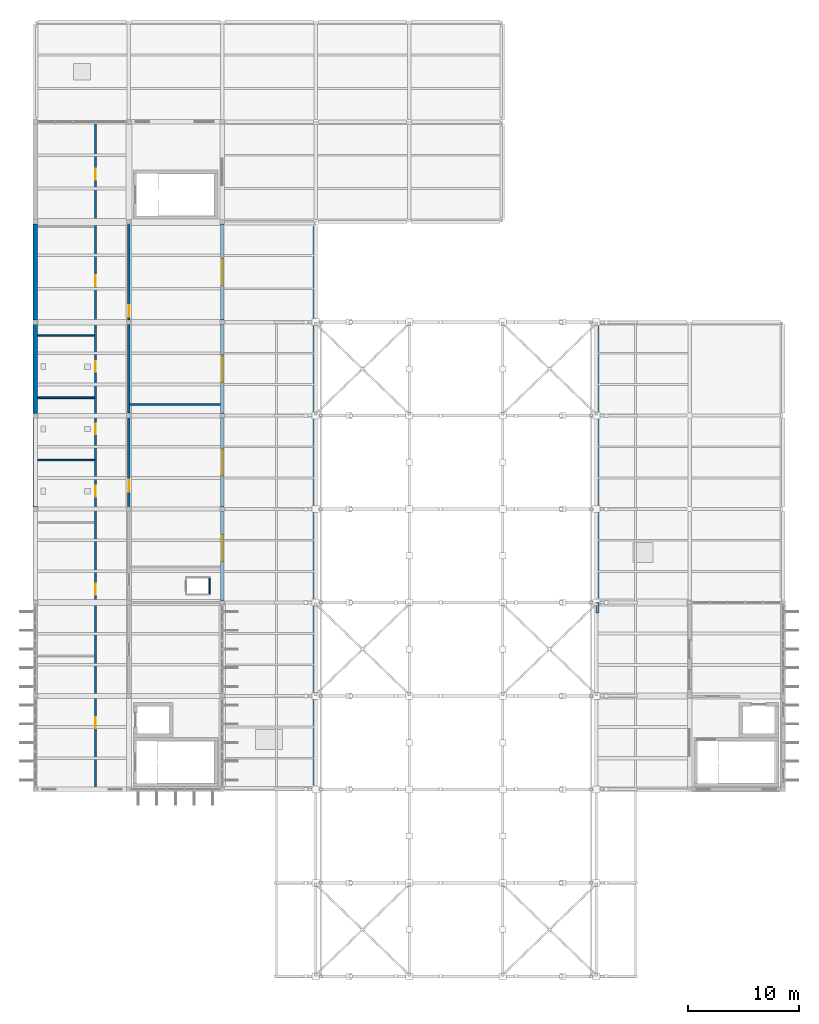
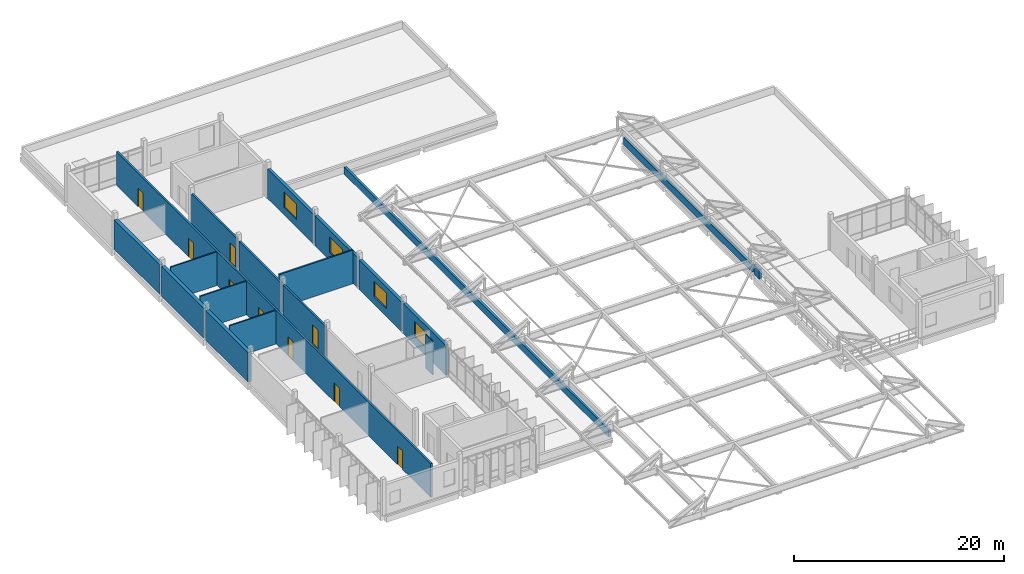
# One storey, part 36 of 41: 19 walls, 9 doors, 4 windows, 13 openings.
"""IFC4 building model written with IfcOpenShell, lengths in metres."""

import ifcopenshell
import ifcopenshell.guid

model = None  # the IFC model being written
_history = None  # IfcOwnerHistory: only IFC2X3 demands one
_inside = {}  # id of a spatial element -> (the spatial element, [elements in it])
_under = {}  # id of a project, library or spatial element -> (it, [spatial elements below it])
_declared = {}  # id of a project -> (the project, [libraries it declares])
_typed = {}  # id of a type object -> (the type object, [elements of that type])
_made_of = {}  # id of a material, layer set ... -> (it, [elements and type objects made of it])


def new_model(schema):
    """Start an empty IFC model of exactly this schema.

    Asked for "IFC4X3", IfcOpenShell would pick the latest addendum, in which some entities
    have other attributes; the version numbers below select the first issue.
    IFC2X3 requires an IfcOwnerHistory on every rooted entity: one is made here for all.
    """
    global model, _history
    if schema == "IFC4X3":
        model = ifcopenshell.file(schema_version=(4, 3, 0, 0))
    else:
        model = ifcopenshell.file(schema=schema)
    _inside.clear()
    _under.clear()
    _declared.clear()
    _typed.clear()
    _made_of.clear()
    _history = None
    if model.schema == "IFC2X3":
        org = make("IfcOrganization", Name="unknown")
        user = make(
            "IfcPersonAndOrganization",
            ThePerson=make("IfcPerson", FamilyName="unknown"),
            TheOrganization=org,
        )
        app = make(
            "IfcApplication",
            ApplicationDeveloper=org,
            Version="unknown",
            ApplicationFullName="unknown",
            ApplicationIdentifier="unknown",
        )
        _history = make(
            "IfcOwnerHistory",
            OwningUser=user,
            OwningApplication=app,
            ChangeAction="ADDED",
            CreationDate=0,
        )
    return model


def make(cls, **values):
    """One entity of the class cls with the attributes given. An attribute that is None is left unset."""
    return model.create_entity(
        cls, **{name: value for name, value in values.items() if value is not None}
    )


def rooted(cls, **values):
    """An entity with a GlobalId (a new one), such as an element, a storey or a relation."""
    return make(cls, GlobalId=ifcopenshell.guid.new(), OwnerHistory=_history, **values)


def si_unit(unit_type, name, prefix=None):
    """IfcSIUnit, for example si_unit("LENGTHUNIT", "METRE", prefix="MILLI")."""
    return make("IfcSIUnit", UnitType=unit_type, Prefix=prefix, Name=name)


def assignment(units):
    """IfcUnitAssignment: the units of a project."""
    return None if units is None else make("IfcUnitAssignment", Units=units)


def point(xyz):
    """IfcCartesianPoint."""
    return None if xyz is None else make("IfcCartesianPoint", Coordinates=xyz)


def direction(xyz):
    """IfcDirection."""
    return None if xyz is None else make("IfcDirection", DirectionRatios=xyz)


def frame(location, z_axis=None, x_axis=None):
    """IfcAxis2Placement3D, a coordinate frame: its origin and axes. An axis left out is left unset."""
    return make(
        "IfcAxis2Placement3D",
        Location=point(location),
        Axis=direction(z_axis),
        RefDirection=direction(x_axis),
    )


def frame_2d(location, x_axis=None):
    """IfcAxis2Placement2D, a coordinate frame in the plane: its origin and x axis."""
    return make(
        "IfcAxis2Placement2D", Location=point(location), RefDirection=direction(x_axis)
    )


def origin():
    """The frame at (0, 0, 0) with its axes left unset."""
    return frame((0.0, 0.0, 0.0))


def place(relative_to, where):
    """IfcLocalPlacement: puts the frame where relative to a parent placement (None: the world)."""
    return make(
        "IfcLocalPlacement", PlacementRelTo=relative_to, RelativePlacement=where
    )


def context(
    kind, dimensions, precision=None, world=None, true_north=None, identifier=None
):
    """IfcGeometricRepresentationContext, for example the 3D "Model" context."""
    return make(
        "IfcGeometricRepresentationContext",
        ContextIdentifier=identifier,
        ContextType=kind,
        CoordinateSpaceDimension=dimensions,
        Precision=precision,
        WorldCoordinateSystem=world,
        TrueNorth=true_north,
    )


def subcontext(parent, identifier, kind, view, scale=None):
    """IfcGeometricRepresentationSubContext, for example "Body" below "Model"."""
    return make(
        "IfcGeometricRepresentationSubContext",
        ContextIdentifier=identifier,
        ContextType=kind,
        ParentContext=parent,
        TargetScale=scale,
        TargetView=view,
    )


def project(units=None, contexts=None):
    """IfcProject with its units and contexts."""
    return rooted(
        "IfcProject",
        Name="project",
        RepresentationContexts=contexts,
        UnitsInContext=assignment(units),
    )


def spatial(cls, under=None, at=None, **own):
    """A site, building, storey or space (cls), placed at a placement, below another one or the project."""
    s = rooted(cls, ObjectPlacement=at, **own)
    if under is not None:
        _under.setdefault(under.id(), (under, []))[1].append(s)
    return s


def profile(cls, at=None, kind="AREA", **sizes):
    """A parametric profile (cls). Its sizes go by their IFC names, for example OverallWidth=200.0."""
    return make(cls, ProfileType=kind, Position=at, **sizes)


def rectangle(**sizes):
    """IfcRectangleProfileDef."""
    return profile("IfcRectangleProfileDef", **sizes)


def extrude(swept, where, along, depth):
    """IfcExtrudedAreaSolid: the profile swept, set in the frame where, extruded along a direction by depth."""
    return make(
        "IfcExtrudedAreaSolid",
        SweptArea=swept,
        Position=where,
        ExtrudedDirection=direction(along),
        Depth=depth,
    )


def shape(context_of_items, identifier, shape_type, items):
    """IfcShapeRepresentation: the items that make up one representation, for example the "Body"."""
    return make(
        "IfcShapeRepresentation",
        ContextOfItems=context_of_items,
        RepresentationIdentifier=identifier,
        RepresentationType=shape_type,
        Items=items,
    )


def material(Name=None, Category=None):
    """IfcMaterial."""
    return make("IfcMaterial", Name=Name, Category=Category)


def layer(
    of_material, thickness, ventilated=None, Name=None, Category=None, Priority=None
):
    """IfcMaterialLayer: one layer of a wall or slab, of a material (None: an air gap)."""
    return make(
        "IfcMaterialLayer",
        Material=of_material,
        LayerThickness=thickness,
        IsVentilated=ventilated,
        Name=Name,
        Category=Category,
        Priority=Priority,
    )


def layer_set(layers, Name=None):
    """IfcMaterialLayerSet."""
    return make("IfcMaterialLayerSet", MaterialLayers=layers, LayerSetName=Name)


def made_of(thing, what):
    """Note that an element or type object is made of a material, layer set ...; save() writes the relation."""
    if what is not None:
        _made_of.setdefault(what.id(), (what, []))[1].append(thing)
    return thing


def type_object(cls, material=None, **own):
    """A type object (cls), such as IfcWallType, which elements share."""
    return made_of(rooted(cls, **own), material)


def element(
    cls,
    number,
    at=None,
    inside=None,
    cuts=None,
    type_object=None,
    material=None,
    context=None,
    identifier="Body",
    shape_type=None,
    held_by="IfcProductDefinitionShape",
    body=None,
    shapes=None,
    **own,
):
    """One element of the class cls, such as IfcWall. Its Tag is "e" and its number.

    at: its placement. inside: the storey or other place that contains it. cuts: it is an
    opening in that element (IfcRelVoidsElement). A single representation is given by context,
    identifier, shape_type and body (its items); several are given by shapes. held_by: the class
    of the entity that holds the representations. save() writes the other relations.
    """
    e = rooted(cls, Tag="e%d" % number, ObjectPlacement=at, **own)
    if body is not None:
        shapes = [shape(context, identifier, shape_type, body)]
    if shapes is not None:
        e.Representation = make(held_by, Representations=shapes)
    if inside is not None:
        _inside.setdefault(inside.id(), (inside, []))[1].append(e)
    if cuts is not None:
        rooted(
            "IfcRelVoidsElement", RelatingBuildingElement=cuts, RelatedOpeningElement=e
        )
    if type_object is not None:
        _typed.setdefault(type_object.id(), (type_object, []))[1].append(e)
    return made_of(e, material)


def fill(opening, filler):
    """IfcRelFillsElement: the door or window that sits in an opening."""
    return rooted(
        "IfcRelFillsElement",
        RelatingOpeningElement=opening,
        RelatedBuildingElement=filler,
    )


def aggregate(whole, parts):
    """IfcRelAggregates: a whole, such as a stair, and the parts it consists of."""
    return rooted("IfcRelAggregates", RelatingObject=whole, RelatedObjects=parts)


def save(model, path):
    """Write the relations noted so far, then the file.

    IfcRelAggregates (storeys below a building ...), IfcRelContainedInSpatialStructure (elements
    in a storey), IfcRelDefinesByType, IfcRelAssociatesMaterial and IfcRelDeclares: one each for
    every whole, place, type object, material and project.
    """
    for whole, parts in _under.values():
        aggregate(whole, parts)
    for where, things in _inside.values():
        rooted(
            "IfcRelContainedInSpatialStructure",
            RelatedElements=things,
            RelatingStructure=where,
        )
    for kind, things in _typed.values():
        rooted("IfcRelDefinesByType", RelatedObjects=things, RelatingType=kind)
    for what, things in _made_of.values():
        rooted("IfcRelAssociatesMaterial", RelatedObjects=things, RelatingMaterial=what)
    for by, libraries in _declared.values():
        rooted("IfcRelDeclares", RelatingContext=by, RelatedDefinitions=libraries)
    model.write(path)


model = new_model("IFC4")

# Units and contexts
model_context = context("Model", 3, precision=1e-05, world=origin(), true_north=direction((0.0, 1.0)))
body_context = subcontext(model_context, "Body", "Model", "MODEL_VIEW")
ifc_project = project(units=[si_unit("LENGTHUNIT", "METRE"), si_unit("AREAUNIT", "SQUARE_METRE"), si_unit("VOLUMEUNIT", "CUBIC_METRE"), si_unit("PLANEANGLEUNIT", "RADIAN"), si_unit("MASSUNIT", "GRAM", prefix="KILO")], contexts=[model_context])

# Site, building, storey
site_placement = place(None, origin())
site = spatial("IfcSite", under=ifc_project, at=site_placement, CompositionType="ELEMENT")
building_placement = place(site_placement, origin())
building = spatial("IfcBuilding", under=site, at=building_placement, Name="Vireocrest Preparatory School", CompositionType="ELEMENT")
storey_placement = place(building_placement, frame((0.0, 0.0, 21.60009765625)))
storey = spatial("IfcBuildingStorey", under=building, at=storey_placement, Name="L05", CompositionType="ELEMENT", Elevation=21.60009765625)

# Walls
ifc_material_1 = material(Name="Gypsum board on cold-formed steel studs", Category="steel")
ifc_layer_1 = layer(ifc_material_1, 0.139892578125)
ifc_layer_set_1 = layer_set([ifc_layer_1], Name="Gypsum board on cold-formed steel studs")
wall_type_1 = type_object("IfcWallType", Name="Classroom Acoustic Partition Wall 140", PredefinedType="PARTITIONING", material=ifc_layer_set_1)
for number, where, z_axis, x_axis, name in (
    (1, (42.195068359375, 73.39990234375, 0.0), (0.0, 0.0, 1.0), (1.0, 0.0, 0.0), "Interior Partition W03 IW_L05_0328"),
    (2, (42.195068359375, 79.0, 0.0), (0.0, 0.0, 1.0), (1.0, 0.0, 0.0), "Interior Partition W03 IW_L05_0329"),
    (3, (42.195068359375, 84.60009765625, 0.0), (0.0, 0.0, 1.0), (1.0, 0.0, 0.0), "Interior Partition W03 IW_L05_0330"),
):
    element("IfcWall", number, at=place(storey_placement, frame(where, z_axis=z_axis, x_axis=x_axis)), inside=storey, type_object=wall_type_1, Name=name, PredefinedType="PARTITIONING", context=body_context, shape_type="SweptSolid", body=[
        extrude(rectangle(XDim=5.099853515625, YDim=0.139892578125, at=frame_2d((2.5498046875, 0.0))), origin(), (0.0, 0.0, 1.0), 3.89990234375),
    ])

# Wall, openings, doors
ifc_layer_2 = layer(ifc_material_1, 0.199951171875)
ifc_layer_set_2 = layer_set([ifc_layer_2], Name="Gypsum board on cold-formed steel studs")
wall_type_2 = type_object("IfcWallType", Name="Corridor One-Hour Fire Partition 200", PredefinedType="PARTITIONING", material=ifc_layer_set_2)
wall_1_placement = place(storey_placement, frame((47.39990234375, 43.965087890625, 0.0), z_axis=(0.0, 0.0, 1.0), x_axis=(0.0, 1.0, 0.0)))
wall_1 = element("IfcWall", 4, at=wall_1_placement, inside=storey, type_object=wall_type_2, Name="Interior Partition W06 IW_L05_0332", PredefinedType="PARTITIONING", context=body_context, shape_type="SweptSolid", body=[
    extrude(rectangle(XDim=59.72998046875, YDim=0.199951171875, at=frame_2d((29.864990234375, 0.0))), origin(), (0.0, 0.0, 1.0), 3.89990234375),
])
opening_1_placement = place(wall_1_placement, frame((5.3349609375, 0.0, 0.0)))
opening_1 = element("IfcOpeningElement", 5, at=opening_1_placement, cuts=wall_1, Name="Opening D-L05-W5W01", PredefinedType="OPENING", context=body_context, shape_type="SweptSolid", body=[
    extrude(rectangle(XDim=1.0, YDim=2.14990234375, at=frame_2d((0.5, 1.074951171875))), frame((0.0, 0.10986328125, 0.0), z_axis=(0.0, -1.0, 0.0), x_axis=(1.0, 0.0, 0.0)), (0.0, 0.0, 1.0), 0.219970703125),
])
opening_2_placement = place(wall_1_placement, frame((17.3349609375, 0.0, 0.0)))
opening_2 = element("IfcOpeningElement", 6, at=opening_2_placement, cuts=wall_1, Name="Opening D-L05-W5W02", PredefinedType="OPENING", context=body_context, shape_type="SweptSolid", body=[
    extrude(rectangle(XDim=1.0, YDim=2.14990234375, at=frame_2d((0.5, 1.074951171875))), frame((0.0, 0.10986328125, 0.0), z_axis=(0.0, -1.0, 0.0), x_axis=(1.0, 0.0, 0.0)), (0.0, 0.0, 1.0), 0.219970703125),
])
opening_3_placement = place(wall_1_placement, frame((26.159912109375, 0.0, 0.0)))
opening_3 = element("IfcOpeningElement", 7, at=opening_3_placement, cuts=wall_1, Name="Opening D-L05-W5W03", PredefinedType="OPENING", context=body_context, shape_type="SweptSolid", body=[
    extrude(rectangle(XDim=0.949951171875, YDim=2.199951171875, at=frame_2d((0.47509765625, 1.10009765625))), frame((0.0, 0.10986328125, 0.0), z_axis=(0.0, -1.0, 0.0), x_axis=(1.0, 0.0, 0.0)), (0.0, 0.0, 1.0), 0.219970703125),
])
opening_4_placement = place(wall_1_placement, frame((31.760009765625, 0.0, 0.0)))
opening_4 = element("IfcOpeningElement", 8, at=opening_4_placement, cuts=wall_1, Name="Opening D-L05-W5W04", PredefinedType="OPENING", context=body_context, shape_type="SweptSolid", body=[
    extrude(rectangle(XDim=0.949951171875, YDim=2.199951171875, at=frame_2d((0.47509765625, 1.10009765625))), frame((0.0, 0.10986328125, 0.0), z_axis=(0.0, -1.0, 0.0), x_axis=(1.0, 0.0, 0.0)), (0.0, 0.0, 1.0), 0.219970703125),
])
opening_5_placement = place(wall_1_placement, frame((37.360107421875, 0.0, 0.0)))
opening_5 = element("IfcOpeningElement", 9, at=opening_5_placement, cuts=wall_1, Name="Opening D-L05-W5W05", PredefinedType="OPENING", context=body_context, shape_type="SweptSolid", body=[
    extrude(rectangle(XDim=0.949951171875, YDim=2.10009765625, at=frame_2d((0.47509765625, 1.050048828125))), frame((0.0, 0.10986328125, 0.0), z_axis=(0.0, -1.0, 0.0), x_axis=(1.0, 0.0, 0.0)), (0.0, 0.0, 1.0), 0.219970703125),
])
opening_6_placement = place(wall_1_placement, frame((45.034912109375, 0.0, 0.0)))
opening_6 = element("IfcOpeningElement", 10, at=opening_6_placement, cuts=wall_1, Name="Opening D-L05-W5W06", PredefinedType="OPENING", context=body_context, shape_type="SweptSolid", body=[
    extrude(rectangle(XDim=1.0, YDim=2.14990234375, at=frame_2d((0.5, 1.074951171875))), frame((0.0, 0.10986328125, 0.0), z_axis=(0.0, -1.0, 0.0), x_axis=(1.0, 0.0, 0.0)), (0.0, 0.0, 1.0), 0.219970703125),
])
opening_7_placement = place(wall_1_placement, frame((54.635009765625, 0.0, 0.0)))
opening_7 = element("IfcOpeningElement", 11, at=opening_7_placement, cuts=wall_1, Name="Opening D-L05-W5W07", PredefinedType="OPENING", context=body_context, shape_type="SweptSolid", body=[
    extrude(rectangle(XDim=1.0, YDim=2.14990234375, at=frame_2d((0.5, 1.074951171875))), frame((0.0, 0.10986328125, 0.0), z_axis=(0.0, -1.0, 0.0), x_axis=(1.0, 0.0, 0.0)), (0.0, 0.0, 1.0), 0.219970703125),
])
ifc_material_2 = material(Name="Solid-core architectural birch timber", Category="wood")
door_type_1 = type_object("IfcDoorType", Name="Accessible WC Timber Door 950x2100", OperationType="NOTDEFINED", PredefinedType="DOOR", material=ifc_material_2)
door_1_placement = place(opening_5_placement, origin())
door_1 = element("IfcDoor", 12, at=door_1_placement, inside=storey, type_object=door_type_1, Name="Interior Door D-L05-W5W05", OperationType="SINGLE_SWING_LEFT", OverallHeight=2.10009765625, OverallWidth=0.949951171875, PredefinedType="DOOR", context=body_context, shape_type="SweptSolid", body=[
    extrude(rectangle(XDim=0.949951171875, YDim=2.10009765625, at=frame_2d((0.47509765625, 1.050048828125))), frame((0.0, 0.02490234375, 0.0), z_axis=(0.0, -1.0, 0.0), x_axis=(1.0, 0.0, 0.0)), (0.0, 0.0, 1.0), 0.050048828125),
])
fill(opening_5, door_1)
door_type_2 = type_object("IfcDoorType", Name="Classroom Acoustic Timber Door 1000x2150", OperationType="NOTDEFINED", PredefinedType="DOOR", material=ifc_material_2)
door_2_placement = place(opening_1_placement, origin())
door_2 = element("IfcDoor", 13, at=door_2_placement, inside=storey, type_object=door_type_2, Name="Interior Door D-L05-W5W01", OperationType="SINGLE_SWING_LEFT", OverallHeight=2.14990234375, OverallWidth=1.0, PredefinedType="DOOR", context=body_context, shape_type="SweptSolid", body=[
    extrude(rectangle(XDim=1.0, YDim=2.14990234375, at=frame_2d((0.5, 1.074951171875))), frame((0.0, 0.02490234375, 0.0), z_axis=(0.0, -1.0, 0.0), x_axis=(1.0, 0.0, 0.0)), (0.0, 0.0, 1.0), 0.050048828125),
])
fill(opening_1, door_2)
door_3_placement = place(opening_2_placement, origin())
door_3 = element("IfcDoor", 14, at=door_3_placement, inside=storey, type_object=door_type_2, Name="Interior Door D-L05-W5W02", OperationType="SINGLE_SWING_RIGHT", OverallHeight=2.14990234375, OverallWidth=1.0, PredefinedType="DOOR", context=body_context, shape_type="SweptSolid", body=[
    extrude(rectangle(XDim=1.0, YDim=2.14990234375, at=frame_2d((0.5, 1.074951171875))), frame((0.0, 0.02490234375, 0.0), z_axis=(0.0, -1.0, 0.0), x_axis=(1.0, 0.0, 0.0)), (0.0, 0.0, 1.0), 0.050048828125),
])
fill(opening_2, door_3)
door_4_placement = place(opening_6_placement, origin())
door_4 = element("IfcDoor", 15, at=door_4_placement, inside=storey, type_object=door_type_2, Name="Interior Door D-L05-W5W06", OperationType="SINGLE_SWING_RIGHT", OverallHeight=2.14990234375, OverallWidth=1.0, PredefinedType="DOOR", context=body_context, shape_type="SweptSolid", body=[
    extrude(rectangle(XDim=1.0, YDim=2.14990234375, at=frame_2d((0.5, 1.074951171875))), frame((0.0, 0.02490234375, 0.0), z_axis=(0.0, -1.0, 0.0), x_axis=(1.0, 0.0, 0.0)), (0.0, 0.0, 1.0), 0.050048828125),
])
fill(opening_6, door_4)
door_5_placement = place(opening_7_placement, origin())
door_5 = element("IfcDoor", 16, at=door_5_placement, inside=storey, type_object=door_type_2, Name="Interior Door D-L05-W5W07", OperationType="SINGLE_SWING_LEFT", OverallHeight=2.14990234375, OverallWidth=1.0, PredefinedType="DOOR", context=body_context, shape_type="SweptSolid", body=[
    extrude(rectangle(XDim=1.0, YDim=2.14990234375, at=frame_2d((0.5, 1.074951171875))), frame((0.0, 0.02490234375, 0.0), z_axis=(0.0, -1.0, 0.0), x_axis=(1.0, 0.0, 0.0)), (0.0, 0.0, 1.0), 0.050048828125),
])
fill(opening_7, door_5)
door_type_3 = type_object("IfcDoorType", Name="Student Washroom Door 950x2200", OperationType="NOTDEFINED", PredefinedType="DOOR", material=ifc_material_2)
door_6_placement = place(opening_3_placement, origin())
door_6 = element("IfcDoor", 17, at=door_6_placement, inside=storey, type_object=door_type_3, Name="Interior Door D-L05-W5W03", OperationType="SINGLE_SWING_LEFT", OverallHeight=2.199951171875, OverallWidth=0.949951171875, PredefinedType="DOOR", context=body_context, shape_type="SweptSolid", body=[
    extrude(rectangle(XDim=0.949951171875, YDim=2.199951171875, at=frame_2d((0.47509765625, 1.10009765625))), frame((0.0, 0.02490234375, 0.0), z_axis=(0.0, -1.0, 0.0), x_axis=(1.0, 0.0, 0.0)), (0.0, 0.0, 1.0), 0.050048828125),
])
fill(opening_3, door_6)
door_7_placement = place(opening_4_placement, origin())
door_7 = element("IfcDoor", 18, at=door_7_placement, inside=storey, type_object=door_type_3, Name="Interior Door D-L05-W5W04", OperationType="SINGLE_SWING_RIGHT", OverallHeight=2.199951171875, OverallWidth=0.949951171875, PredefinedType="DOOR", context=body_context, shape_type="SweptSolid", body=[
    extrude(rectangle(XDim=0.949951171875, YDim=2.199951171875, at=frame_2d((0.47509765625, 1.10009765625))), frame((0.0, 0.02490234375, 0.0), z_axis=(0.0, -1.0, 0.0), x_axis=(1.0, 0.0, 0.0)), (0.0, 0.0, 1.0), 0.050048828125),
])
fill(opening_4, door_7)

# Wall, opening, door
wall_2_placement = place(storey_placement, frame((50.39990234375, 69.2099609375, 0.0), z_axis=(0.0, 0.0, 1.0), x_axis=(0.0, 1.0, 0.0)))
wall_2 = element("IfcWall", 19, at=wall_2_placement, inside=storey, type_object=wall_type_2, Name="Interior Partition W06 IW_L05_0338", PredefinedType="PARTITIONING", context=body_context, shape_type="SweptSolid", body=[
    extrude(rectangle(XDim=7.97998046875, YDim=0.199951171875, at=frame_2d((3.989990234375, 0.0))), origin(), (0.0, 0.0, 1.0), 3.47998046875),
])
opening_8_placement = place(wall_2_placement, frame((1.364990234375, 0.0, 0.0)))
opening_8 = element("IfcOpeningElement", 20, at=opening_8_placement, cuts=wall_2, Name="Opening D-L05-W5E03", PredefinedType="OPENING", context=body_context, shape_type="SweptSolid", body=[
    extrude(rectangle(XDim=1.050048828125, YDim=2.199951171875, at=frame_2d((0.52490234375, 1.10009765625))), frame((0.0, 0.10986328125, 0.0), z_axis=(0.0, -1.0, 0.0), x_axis=(1.0, 0.0, 0.0)), (0.0, 0.0, 1.0), 0.219970703125),
])
ifc_material_3 = material(Name="Painted galvanized hollow steel", Category="steel")
door_type_4 = type_object("IfcDoorType", Name="Laboratory Fire Door 1050x2200", OperationType="NOTDEFINED", PredefinedType="DOOR", material=ifc_material_3)
door_8_placement = place(opening_8_placement, origin())
door_8 = element("IfcDoor", 21, at=door_8_placement, inside=storey, type_object=door_type_4, Name="Interior Door D-L05-W5E03", OperationType="SINGLE_SWING_RIGHT", OverallHeight=2.199951171875, OverallWidth=1.050048828125, PredefinedType="DOOR", context=body_context, shape_type="SweptSolid", body=[
    extrude(rectangle(XDim=1.050048828125, YDim=2.199951171875, at=frame_2d((0.52490234375, 1.10009765625))), frame((0.0, 0.02490234375, 0.0), z_axis=(0.0, -1.0, 0.0), x_axis=(1.0, 0.0, 0.0)), (0.0, 0.0, 1.0), 0.050048828125),
])
fill(opening_8, door_8)

# Wall
wall_3_placement = place(storey_placement, frame((50.39990234375, 77.610107421875, 0.0), z_axis=(0.0, 0.0, 1.0), x_axis=(0.0, 1.0, 0.0)))
element("IfcWall", 22, at=wall_3_placement, inside=storey, type_object=wall_type_2, Name="Interior Partition W06 IW_L05_0339", PredefinedType="PARTITIONING", context=body_context, shape_type="SweptSolid", body=[
    extrude(rectangle(XDim=7.97998046875, YDim=0.199951171875, at=frame_2d((3.989990234375, 0.0))), origin(), (0.0, 0.0, 1.0), 3.429931640625),
])

# Wall, opening, door
wall_4_placement = place(storey_placement, frame((50.39990234375, 86.010009765625, 0.0), z_axis=(0.0, 0.0, 1.0), x_axis=(0.0, 1.0, 0.0)))
wall_4 = element("IfcWall", 23, at=wall_4_placement, inside=storey, type_object=wall_type_2, Name="Interior Partition W06 IW_L05_0340", PredefinedType="PARTITIONING", context=body_context, shape_type="SweptSolid", body=[
    extrude(rectangle(XDim=8.580078125, YDim=0.199951171875, at=frame_2d((4.2900390625, 0.0))), origin(), (0.0, 0.0, 1.0), 3.47998046875),
])
opening_9_placement = place(wall_4_placement, frame((0.25, 0.0, 0.0)))
opening_9 = element("IfcOpeningElement", 24, at=opening_9_placement, cuts=wall_4, Name="Opening D-L05-W5E04", PredefinedType="OPENING", context=body_context, shape_type="SweptSolid", body=[
    extrude(rectangle(XDim=1.050048828125, YDim=2.199951171875, at=frame_2d((0.52490234375, 1.10009765625))), frame((0.0, 0.10986328125, 0.0), z_axis=(0.0, -1.0, 0.0), x_axis=(1.0, 0.0, 0.0)), (0.0, 0.0, 1.0), 0.219970703125),
])
door_9_placement = place(opening_9_placement, origin())
door_9 = element("IfcDoor", 25, at=door_9_placement, inside=storey, type_object=door_type_4, Name="Interior Door D-L05-W5E04", OperationType="SINGLE_SWING_LEFT", OverallHeight=2.199951171875, OverallWidth=1.050048828125, PredefinedType="DOOR", context=body_context, shape_type="SweptSolid", body=[
    extrude(rectangle(XDim=1.050048828125, YDim=2.199951171875, at=frame_2d((0.52490234375, 1.10009765625))), frame((0.0, 0.02490234375, 0.0), z_axis=(0.0, -1.0, 0.0), x_axis=(1.0, 0.0, 0.0)), (0.0, 0.0, 1.0), 0.050048828125),
])
fill(opening_9, door_9)

# Wall, opening, window
ifc_material_4 = material(Name="Precast white concrete 40 MPa", Category="concrete")
ifc_layer_3 = layer(ifc_material_4, 0.320068359375)
ifc_layer_set_3 = layer_set([ifc_layer_3], Name="Precast white concrete 40 MPa")
wall_type_3 = type_object("IfcWallType", Name="High-Tech Insulated Rainscreen External Wall 320", PredefinedType="SOLIDWALL", material=ifc_layer_set_3)
wall_5_placement = place(storey_placement, frame((58.800048828125, 60.77490234375, 0.0), z_axis=(0.0, 0.0, 1.0), x_axis=(0.0, 1.0, 0.0)))
wall_5 = element("IfcWall", 26, at=wall_5_placement, inside=storey, type_object=wall_type_3, Name="External Wall W12 EW_L05_0405", PredefinedType="SOLIDWALL", context=body_context, shape_type="SweptSolid", body=[
    extrude(rectangle(XDim=8.050048828125, YDim=0.320068359375, at=frame_2d((4.02490234375, 0.0))), origin(), (0.0, 0.0, 1.0), 3.47998046875),
])
opening_10_placement = place(wall_5_placement, frame((3.52490234375, 0.0, 0.89990234375)))
opening_10 = element("IfcOpeningElement", 27, at=opening_10_placement, cuts=wall_5, Name="Opening WN12", PredefinedType="OPENING", context=body_context, shape_type="SweptSolid", body=[
    extrude(rectangle(XDim=2.39990234375, YDim=1.800048828125, at=frame_2d((1.199951171875, 0.89990234375))), frame((0.0, 0.169921875, 0.0), z_axis=(0.0, -1.0, 0.0), x_axis=(1.0, 0.0, 0.0)), (0.0, 0.0, 1.0), 0.340087890625),
])
ifc_material_5 = material(Name="Thermally broken aluminium EN AW-6063-T6", Category="aluminium")
window_type = type_object("IfcWindowType", Name="Classroom Paired Window 2400x1800", PartitioningType="DOUBLE_PANEL_VERTICAL", PredefinedType="WINDOW", material=ifc_material_5)
window_1_placement = place(opening_10_placement, origin())
window_1 = element("IfcWindow", 28, at=window_1_placement, inside=storey, type_object=window_type, Name="Window W-L05-206 (WN12)", OverallHeight=1.800048828125, OverallWidth=2.39990234375, PartitioningType="SINGLE_PANEL", PredefinedType="WINDOW", context=body_context, shape_type="SweptSolid", body=[
    extrude(rectangle(XDim=2.39990234375, YDim=1.800048828125, at=frame_2d((1.199951171875, 0.89990234375))), frame((0.0, 0.030029296875, 0.0), z_axis=(0.0, -1.0, 0.0), x_axis=(1.0, 0.0, 0.0)), (0.0, 0.0, 1.0), 0.06005859375),
])
fill(opening_10, window_1)

wall_6_placement = place(storey_placement, frame((58.800048828125, 69.175048828125, 0.0), z_axis=(0.0, 0.0, 1.0), x_axis=(0.0, 1.0, 0.0)))
wall_6 = element("IfcWall", 29, at=wall_6_placement, inside=storey, type_object=wall_type_3, Name="External Wall W12 EW_L05_0406", PredefinedType="SOLIDWALL", context=body_context, shape_type="SweptSolid", body=[
    extrude(rectangle(XDim=8.050048828125, YDim=0.320068359375, at=frame_2d((4.02490234375, 0.0))), origin(), (0.0, 0.0, 1.0), 3.429931640625),
])
opening_11_placement = place(wall_6_placement, frame((2.824951171875, 0.0, 0.89990234375)))
opening_11 = element("IfcOpeningElement", 30, at=opening_11_placement, cuts=wall_6, Name="Opening WN12", PredefinedType="OPENING", context=body_context, shape_type="SweptSolid", body=[
    extrude(rectangle(XDim=2.39990234375, YDim=1.800048828125, at=frame_2d((1.199951171875, 0.89990234375))), frame((0.0, 0.169921875, 0.0), z_axis=(0.0, -1.0, 0.0), x_axis=(1.0, 0.0, 0.0)), (0.0, 0.0, 1.0), 0.340087890625),
])
window_2_placement = place(opening_11_placement, origin())
window_2 = element("IfcWindow", 31, at=window_2_placement, inside=storey, type_object=window_type, Name="Window W-L05-207 (WN12)", OverallHeight=1.800048828125, OverallWidth=2.39990234375, PartitioningType="SINGLE_PANEL", PredefinedType="WINDOW", context=body_context, shape_type="SweptSolid", body=[
    extrude(rectangle(XDim=2.39990234375, YDim=1.800048828125, at=frame_2d((1.199951171875, 0.89990234375))), frame((0.0, 0.030029296875, 0.0), z_axis=(0.0, -1.0, 0.0), x_axis=(1.0, 0.0, 0.0)), (0.0, 0.0, 1.0), 0.06005859375),
])
fill(opening_11, window_2)

wall_7_placement = place(storey_placement, frame((58.800048828125, 77.574951171875, 0.0), z_axis=(0.0, 0.0, 1.0), x_axis=(0.0, 1.0, 0.0)))
wall_7 = element("IfcWall", 32, at=wall_7_placement, inside=storey, type_object=wall_type_3, Name="External Wall W12 EW_L05_0407", PredefinedType="SOLIDWALL", context=body_context, shape_type="SweptSolid", body=[
    extrude(rectangle(XDim=8.050048828125, YDim=0.320068359375, at=frame_2d((4.02490234375, 0.0))), origin(), (0.0, 0.0, 1.0), 3.47998046875),
])
opening_12_placement = place(wall_7_placement, frame((2.824951171875, 0.0, 0.89990234375)))
opening_12 = element("IfcOpeningElement", 33, at=opening_12_placement, cuts=wall_7, Name="Opening WN12", PredefinedType="OPENING", context=body_context, shape_type="SweptSolid", body=[
    extrude(rectangle(XDim=2.39990234375, YDim=1.800048828125, at=frame_2d((1.199951171875, 0.89990234375))), frame((0.0, 0.169921875, 0.0), z_axis=(0.0, -1.0, 0.0), x_axis=(1.0, 0.0, 0.0)), (0.0, 0.0, 1.0), 0.340087890625),
])
window_3_placement = place(opening_12_placement, origin())
window_3 = element("IfcWindow", 34, at=window_3_placement, inside=storey, type_object=window_type, Name="Window W-L05-208 (WN12)", OverallHeight=1.800048828125, OverallWidth=2.39990234375, PartitioningType="SINGLE_PANEL", PredefinedType="WINDOW", context=body_context, shape_type="SweptSolid", body=[
    extrude(rectangle(XDim=2.39990234375, YDim=1.800048828125, at=frame_2d((1.199951171875, 0.89990234375))), frame((0.0, 0.030029296875, 0.0), z_axis=(0.0, -1.0, 0.0), x_axis=(1.0, 0.0, 0.0)), (0.0, 0.0, 1.0), 0.06005859375),
])
fill(opening_12, window_3)

wall_8_placement = place(storey_placement, frame((58.800048828125, 85.97509765625, 0.0), z_axis=(0.0, 0.0, 1.0), x_axis=(0.0, 1.0, 0.0)))
wall_8 = element("IfcWall", 35, at=wall_8_placement, inside=storey, type_object=wall_type_3, Name="External Wall W12 EW_L05_0408", PredefinedType="SOLIDWALL", context=body_context, shape_type="SweptSolid", body=[
    extrude(rectangle(XDim=8.64990234375, YDim=0.320068359375, at=frame_2d((4.324951171875, 0.0))), origin(), (0.0, 0.0, 1.0), 3.429931640625),
])
opening_13_placement = place(wall_8_placement, frame((3.125, 0.0, 0.89990234375)))
opening_13 = element("IfcOpeningElement", 36, at=opening_13_placement, cuts=wall_8, Name="Opening WN12", PredefinedType="OPENING", context=body_context, shape_type="SweptSolid", body=[
    extrude(rectangle(XDim=2.39990234375, YDim=1.800048828125, at=frame_2d((1.199951171875, 0.89990234375))), frame((0.0, 0.169921875, 0.0), z_axis=(0.0, -1.0, 0.0), x_axis=(1.0, 0.0, 0.0)), (0.0, 0.0, 1.0), 0.340087890625),
])
window_4_placement = place(opening_13_placement, origin())
window_4 = element("IfcWindow", 37, at=window_4_placement, inside=storey, type_object=window_type, Name="Window W-L05-209 (WN12)", OverallHeight=1.800048828125, OverallWidth=2.39990234375, PartitioningType="SINGLE_PANEL", PredefinedType="WINDOW", context=body_context, shape_type="SweptSolid", body=[
    extrude(rectangle(XDim=2.39990234375, YDim=1.800048828125, at=frame_2d((1.199951171875, 0.89990234375))), frame((0.0, 0.030029296875, 0.0), z_axis=(0.0, -1.0, 0.0), x_axis=(1.0, 0.0, 0.0)), (0.0, 0.0, 1.0), 0.06005859375),
])
fill(opening_13, window_4)

# Walls
ifc_layer_4 = layer(ifc_material_4, 0.260009765625)
ifc_layer_set_4 = layer_set([ifc_layer_4], Name="Precast white concrete 40 MPa")
wall_type_4 = type_object("IfcWallType", Name="Insulated Roof Parapet Wall 260", PredefinedType="PARAPET", material=ifc_layer_set_4)
wall_9_placement = place(storey_placement, frame((67.070068359375, 44.18994140625, 0.0), z_axis=(0.0, 0.0, 1.0), x_axis=(0.0, 1.0, 0.0)))
element("IfcWall", 38, at=wall_9_placement, inside=storey, type_object=wall_type_4, Name="Roof Parapet W09 L05_WEST_COURT_ROOF-28", PredefinedType="PARAPET", context=body_context, shape_type="SweptSolid", body=[
    extrude(rectangle(XDim=50.219970703125, YDim=0.260009765625, at=frame_2d((25.10986328125, 0.0))), origin(), (0.0, 0.0, 1.0), 0.849853515625),
])
wall_10_placement = place(storey_placement, frame((92.530029296875, 60.989990234375, 0.0), z_axis=(0.0, 0.0, 1.0), x_axis=(0.0, 1.0, 0.0)))
element("IfcWall", 39, at=wall_10_placement, inside=storey, type_object=wall_type_4, Name="Roof Parapet W09 L05_EAST_ROOF-36", PredefinedType="PARAPET", context=body_context, shape_type="SweptSolid", body=[
    extrude(rectangle(XDim=24.419921875, YDim=0.260009765625, at=frame_2d((12.2099609375, 0.0))), origin(), (0.0, 0.0, 1.0), 0.849853515625),
])
wall_11_placement = place(storey_placement, frame((92.530029296875, 59.64990234375, 0.0), z_axis=(0.0, 0.0, 1.0), x_axis=(0.0, 1.0, 0.0)))
element("IfcWall", 40, at=wall_11_placement, inside=storey, type_object=wall_type_4, Name="Terrace Parapet Return W09 L05-51", PredefinedType="PARAPET", context=body_context, shape_type="SweptSolid", body=[
    extrude(rectangle(XDim=0.9501953125, YDim=0.260009765625, at=frame_2d((0.47509765625, 0.0))), origin(), (0.0, 0.0, 1.0), 1.119873046875),
])
ifc_layer_5 = layer(ifc_material_1, 0.159912109375)
ifc_layer_set_5 = layer_set([ifc_layer_5], Name="Gypsum board on cold-formed steel studs")
wall_type_5 = type_object("IfcWallType", Name="Laboratory Wet-Service Partition Wall 160", PredefinedType="PARTITIONING", material=ifc_layer_set_5)
wall_12_placement = place(storey_placement, frame((50.5048828125, 78.39990234375, 0.0), z_axis=(0.0, 0.0, 1.0), x_axis=(1.0, 0.0, 0.0)))
element("IfcWall", 41, at=wall_12_placement, inside=storey, type_object=wall_type_5, Name="Interior Partition W04 IW_L05_0335", PredefinedType="PARTITIONING", context=body_context, shape_type="SweptSolid", body=[
    extrude(rectangle(XDim=8.130126953125, YDim=0.159912109375, at=frame_2d((4.06494140625, 0.0))), origin(), (0.0, 0.0, 1.0), 3.89990234375),
])
ifc_layer_6 = layer(ifc_material_1, 0.10009765625)
ifc_layer_set_6 = layer_set([ifc_layer_6], Name="Gypsum board on cold-formed steel studs")
wall_type_6 = type_object("IfcWallType", Name="Riser Shaft Lining Wall 100", PredefinedType="PARTITIONING", material=ifc_layer_set_6)
wall_13_placement = place(storey_placement, frame((57.64990234375, 61.39990234375, 0.0), z_axis=(0.0, 0.0, 1.0), x_axis=(0.0, 1.0, 0.0)))
element("IfcWall", 42, at=wall_13_placement, inside=storey, type_object=wall_type_6, Name="MEP Riser Shaft Wall W01 WEST_MEP-L05-E", PredefinedType="PARTITIONING", context=body_context, shape_type="SweptSolid", body=[
    extrude(rectangle(XDim=1.400146484375, YDim=0.10009765625, at=frame_2d((0.7001953125, 0.0))), origin(), (0.0, 0.0, 1.0), 3.89990234375),
])
ifc_material_6 = material(Name="Concrete 45 MPa", Category="concrete")
ifc_layer_7 = layer(ifc_material_6, 0.3798828125)
ifc_layer_set_7 = layer_set([ifc_layer_7], Name="Concrete 45 MPa")
wall_type_7 = type_object("IfcWallType", Name="Two-Hour RC Lot-Line Shear Wall 380", PredefinedType="SHEAR", material=ifc_layer_set_7)
wall_14_placement = place(storey_placement, frame((42.0, 69.175048828125, 0.0), z_axis=(0.0, 0.0, 1.0), x_axis=(0.0, 1.0, 0.0)))
element("IfcWall", 43, at=wall_14_placement, inside=storey, type_object=wall_type_7, Name="External Wall PW1 PARTY_L05_0415", PredefinedType="SHEAR", context=body_context, shape_type="SweptSolid", body=[
    extrude(rectangle(XDim=8.050048828125, YDim=0.3798828125, at=frame_2d((4.02490234375, 0.0))), origin(), (0.0, 0.0, 1.0), 3.429931640625),
])
wall_15_placement = place(storey_placement, frame((42.0, 77.574951171875, 0.0), z_axis=(0.0, 0.0, 1.0), x_axis=(0.0, 1.0, 0.0)))
element("IfcWall", 44, at=wall_15_placement, inside=storey, type_object=wall_type_7, Name="External Wall PW1 PARTY_L05_0416", PredefinedType="SHEAR", context=body_context, shape_type="SweptSolid", body=[
    extrude(rectangle(XDim=8.050048828125, YDim=0.3798828125, at=frame_2d((4.02490234375, 0.0))), origin(), (0.0, 0.0, 1.0), 3.47998046875),
])
wall_16_placement = place(storey_placement, frame((42.0, 85.97509765625, 0.0), z_axis=(0.0, 0.0, 1.0), x_axis=(0.0, 1.0, 0.0)))
element("IfcWall", 45, at=wall_16_placement, inside=storey, type_object=wall_type_7, Name="External Wall PW1 PARTY_L05_0417", PredefinedType="SHEAR", context=body_context, shape_type="SweptSolid", body=[
    extrude(rectangle(XDim=8.64990234375, YDim=0.3798828125, at=frame_2d((4.324951171875, 0.0))), origin(), (0.0, 0.0, 1.0), 3.429931640625),
])

save(model, "model.ifc")
